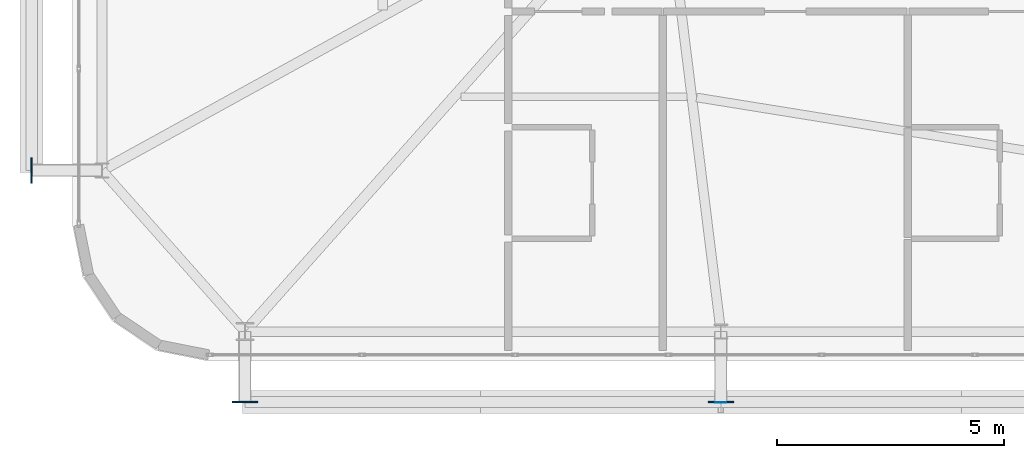
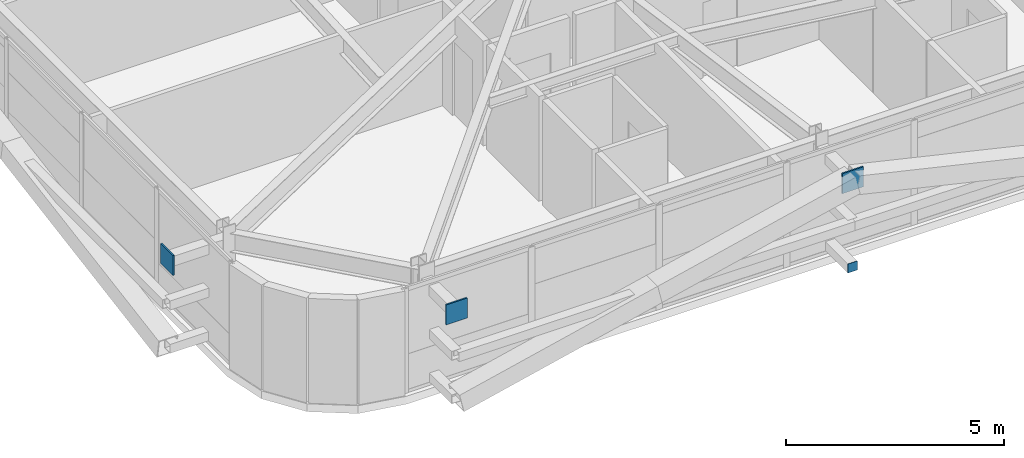
# One storey, part 44 of 58: 4 plates.
"""IFC4 building model written with IfcOpenShell, lengths in metres."""

from ifc_helpers import new_model, si_unit, direction, frame, origin, origin_2d, place, context, subcontext, project, spatial, rectangle, extrude, source, transform, mapped, material, layer, layer_set, type_object, element, save


model = new_model("IFC4")

# Units and contexts
model_context = context("Model", 3, precision=1e-05, world=origin(), true_north=direction((0.0, 1.0)))
body_context = subcontext(model_context, "Body", "Model", "MODEL_VIEW")
ifc_project = project(units=[si_unit("LENGTHUNIT", "METRE"), si_unit("AREAUNIT", "SQUARE_METRE"), si_unit("VOLUMEUNIT", "CUBIC_METRE"), si_unit("PLANEANGLEUNIT", "RADIAN"), si_unit("MASSUNIT", "GRAM", prefix="KILO")], contexts=[model_context])

# Site, building, storey
site_placement = place(None, origin())
site = spatial("IfcSite", under=ifc_project, at=site_placement, CompositionType="ELEMENT")
building_placement = place(site_placement, origin())
building = spatial("IfcBuilding", under=site, at=building_placement, Name="Taldren Reach Tower", CompositionType="ELEMENT")
storey_placement = place(building_placement, frame((0.0, 0.0, 35.699951171875)))
storey = spatial("IfcBuildingStorey", under=building, at=storey_placement, Name="L10", CompositionType="ELEMENT", Elevation=35.699951171875)

# Plates
ifc_material_1 = material(Name="Steel Gr 450 (C450L0)", Category="steel")
ifc_layer_1 = layer(ifc_material_1, 0.0400390625)
ifc_layer_set_1 = layer_set([ifc_layer_1], Name="Steel Gr 450 (C450L0)")
plate_type_1 = type_object("IfcPlateType", Name="PL-GUSSET-40", PredefinedType="SHEET", material=ifc_layer_set_1)
shared_shape_1 = source(origin(), body_context, "Body", "SweptSolid", [
    extrude(rectangle(XDim=0.56005859375, YDim=0.0400390625, at=origin_2d()), origin(), (0.0, 0.0, 1.0), 0.56005859375),
])
for number, where, z_axis, x_axis, name in (
    (1, (8.800048828125, 0.60009765625, 2.3701171875), (0.0, 0.0, 1.0), (1.0, 0.0, 0.0), "Exoskeleton star-node gusset plate B1-S1 L10"),
    (2, (19.280029296875, 0.60009765625, 2.3701171875), (0.0, 0.0, 1.0), (1.0, 0.0, 0.0), "Exoskeleton star-node gusset plate B1-S2 L10"),
    (3, (4.10009765625, 5.699951171875, 2.3701171875), (0.0, 0.0, 1.0), (0.0, 1.0, 0.0), "Exoskeleton star-node gusset plate B1-W1 L10"),
):
    element("IfcPlate", number, at=place(storey_placement, frame(where, z_axis=z_axis, x_axis=x_axis)), inside=storey, type_object=plate_type_1, Name=name, PredefinedType="SHEET", context=body_context, shape_type="MappedRepresentation", body=[
        mapped(shared_shape_1, transform((0.0, 0.0, 0.0), scale=1.0)),
    ])
ifc_material_2 = material(Name="Steel Gr 350 (C350L0)", Category="steel")
ifc_layer_2 = layer(ifc_material_2, 0.011962890625)
ifc_layer_set_2 = layer_set([ifc_layer_2], Name="Steel Gr 350 (C350L0)")
plate_type_2 = type_object("IfcPlateType", Name="PL-CAP-250", PredefinedType="SHEET", material=ifc_layer_set_2)
shared_shape_2 = source(origin(), body_context, "Body", "SweptSolid", [
    extrude(rectangle(XDim=0.25, YDim=0.011962890625, at=origin_2d()), origin(), (0.0, 0.0, 1.0), 0.25),
])
plate_placement = place(storey_placement, frame((19.280029296875, 0.593994140625, 0.094970703125), z_axis=(0.0, 0.0, 1.0), x_axis=(1.0, 0.0, 0.0)))
element("IfcPlate", 4, at=plate_placement, inside=storey, type_object=plate_type_2, Name="Tie strut end cap plate B1-S2 L10", PredefinedType="SHEET", context=body_context, shape_type="MappedRepresentation", body=[
    mapped(shared_shape_2, transform((0.0, 0.0, 0.0), scale=1.0)),
])

save(model, "model.ifc")
